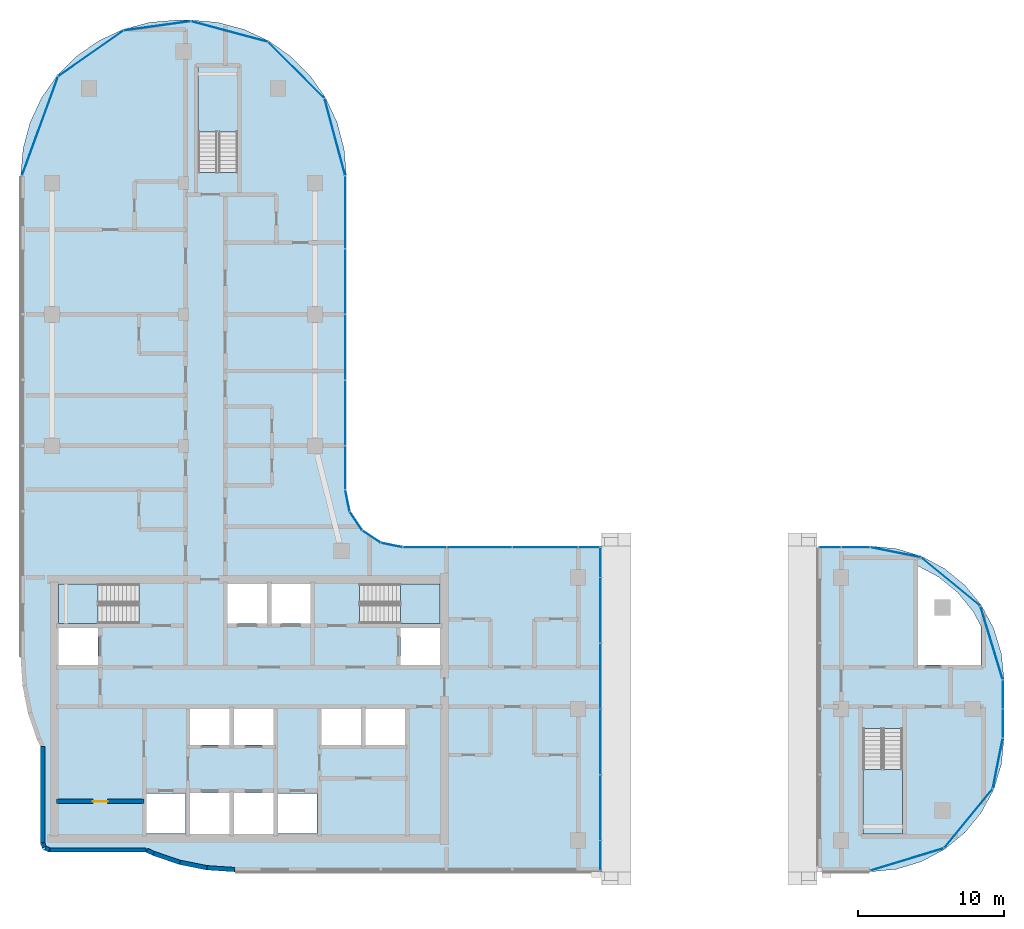
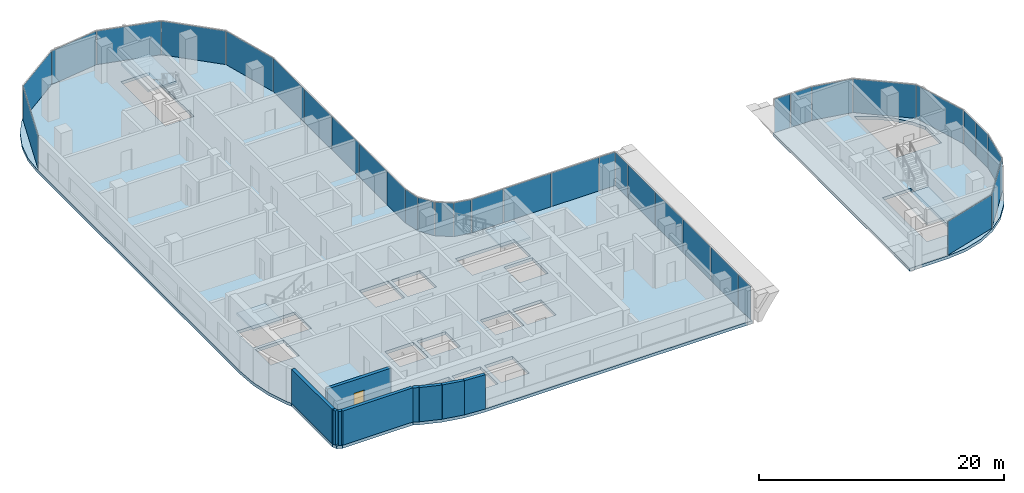
# One storey, part 9 of 23: 35 plates, 9 walls, 6 slabs, 1 door, 1 opening, 13 elements without a shape of their own.
"""IFC4 building model written with IfcOpenShell, lengths in metres."""

from ifc_helpers import new_model, si_unit, direction, frame, frame_2d, origin, origin_2d, place, context, subcontext, project, spatial, polyline, rectangle, outline, extrude, material, layer, layer_set, type_object, element, fill, aggregate, save


model = new_model("IFC4")

# Units and contexts
model_context = context("Model", 3, precision=1e-05, world=origin(), true_north=direction((0.0, 1.0)))
body_context = subcontext(model_context, "Body", "Model", "MODEL_VIEW")
ifc_project = project(units=[si_unit("LENGTHUNIT", "METRE"), si_unit("AREAUNIT", "SQUARE_METRE"), si_unit("VOLUMEUNIT", "CUBIC_METRE"), si_unit("PLANEANGLEUNIT", "RADIAN"), si_unit("MASSUNIT", "GRAM", prefix="KILO")], contexts=[model_context])

# Site, building, storey
site_placement = place(None, origin())
site = spatial("IfcSite", under=ifc_project, at=site_placement, CompositionType="ELEMENT")
building_placement = place(site_placement, origin())
building = spatial("IfcBuilding", under=site, at=building_placement, Name="Ogive Portal Towers", CompositionType="ELEMENT")
storey_placement = place(building_placement, frame((0.0, 0.0, 175.5)))
storey = spatial("IfcBuildingStorey", under=building, at=storey_placement, Name="L43", CompositionType="ELEMENT", Elevation=175.5)

# Curtain wall, plates
ifc_material_1 = material(Name="Glass, clear low-iron insulated glazing", Category="glass")
curtain_wall_type = type_object("IfcCurtainWallType", Name="CW FRONT RIBBON 4500", PredefinedType="NOTDEFINED", material=ifc_material_1)
curtain_wall_1_placement = place(storey_placement, origin())
curtain_wall_1 = element("IfcCurtainWall", 1, at=curtain_wall_1_placement, inside=storey, type_object=curtain_wall_type, Name="A:L43:f09:cw0", PredefinedType="NOTDEFINED")
ifc_layer_1 = layer(ifc_material_1, 0.028076171875)
ifc_layer_set_1 = layer_set([ifc_layer_1], Name="CW PANEL IGU 28")
plate_type = type_object("IfcPlateType", Name="CW PANEL IGU 28", PredefinedType="CURTAIN_PANEL", material=ifc_layer_set_1)
plate_1_placement = place(storey_placement, frame((69.02001953125, 20.467529296875, 0.0), z_axis=(0.0, 0.0, 1.0), x_axis=(0.0, 1.0, 0.0)))
plate_1 = element("IfcPlate", 2, at=plate_1_placement, type_object=plate_type, Name="panel", PredefinedType="CURTAIN_PANEL", context=body_context, shape_type="SweptSolid", body=[
    extrude(rectangle(XDim=2.0048828125, YDim=0.028076171875, at=origin_2d()), origin(), (0.0, 0.0, 1.0), 3.340087890625),
])
plate_2_placement = place(storey_placement, frame((69.02001953125, 23.75, 0.0), z_axis=(0.0, 0.0, 1.0), x_axis=(0.0, 1.0, 0.0)))
plate_2 = element("IfcPlate", 3, at=plate_2_placement, type_object=plate_type, Name="panel", PredefinedType="CURTAIN_PANEL", context=body_context, shape_type="SweptSolid", body=[
    extrude(rectangle(XDim=4.43994140625, YDim=0.028076171875, at=origin_2d()), origin(), (0.0, 0.0, 1.0), 3.340087890625),
])
plate_3_placement = place(storey_placement, frame((69.02001953125, 28.25, 0.0), z_axis=(0.0, 0.0, 1.0), x_axis=(0.0, 1.0, 0.0)))
plate_3 = element("IfcPlate", 4, at=plate_3_placement, type_object=plate_type, Name="panel", PredefinedType="CURTAIN_PANEL", context=body_context, shape_type="SweptSolid", body=[
    extrude(rectangle(XDim=4.43994140625, YDim=0.028076171875, at=origin_2d()), origin(), (0.0, 0.0, 1.0), 3.340087890625),
])
plate_4_placement = place(storey_placement, frame((69.02001953125, 32.75, 0.0), z_axis=(0.0, 0.0, 1.0), x_axis=(0.0, 1.0, 0.0)))
plate_4 = element("IfcPlate", 5, at=plate_4_placement, type_object=plate_type, Name="panel", PredefinedType="CURTAIN_PANEL", context=body_context, shape_type="SweptSolid", body=[
    extrude(rectangle(XDim=4.43994140625, YDim=0.028076171875, at=origin_2d()), origin(), (0.0, 0.0, 1.0), 3.340087890625),
])
plate_5_placement = place(storey_placement, frame((69.02001953125, 37.25, 0.0), z_axis=(0.0, 0.0, 1.0), x_axis=(0.0, 1.0, 0.0)))
plate_5 = element("IfcPlate", 6, at=plate_5_placement, type_object=plate_type, Name="panel", PredefinedType="CURTAIN_PANEL", context=body_context, shape_type="SweptSolid", body=[
    extrude(rectangle(XDim=4.43994140625, YDim=0.028076171875, at=origin_2d()), origin(), (0.0, 0.0, 1.0), 3.340087890625),
])
plate_6_placement = place(storey_placement, frame((69.02001953125, 40.532470703125, 0.0), z_axis=(0.0, 0.0, 1.0), x_axis=(0.0, 1.0, 0.0)))
plate_6 = element("IfcPlate", 7, at=plate_6_placement, type_object=plate_type, Name="panel", PredefinedType="CURTAIN_PANEL", context=body_context, shape_type="SweptSolid", body=[
    extrude(rectangle(XDim=2.0048828125, YDim=0.028076171875, at=origin_2d()), origin(), (0.0, 0.0, 1.0), 3.340087890625),
])
aggregate(curtain_wall_1, [plate_1, plate_2, plate_3, plate_4, plate_5, plate_6])

curtain_wall_2_placement = place(storey_placement, origin())
curtain_wall_2 = element("IfcCurtainWall", 8, at=curtain_wall_2_placement, inside=storey, type_object=curtain_wall_type, Name="A:L43:f10:cw0", PredefinedType="NOTDEFINED")
plate_7_placement = place(storey_placement, frame((68.260009765625, 41.56494140625, 0.0), z_axis=(0.0, 0.0, 1.0), x_axis=(-1.0, 0.0, 0.0)))
plate_7 = element("IfcPlate", 9, at=plate_7_placement, type_object=plate_type, Name="panel", PredefinedType="CURTAIN_PANEL", context=body_context, shape_type="SweptSolid", body=[
    extrude(rectangle(XDim=1.4599609375, YDim=0.028076171875, at=origin_2d()), origin(), (0.0, 0.0, 1.0), 3.340087890625),
])
plate_8_placement = place(storey_placement, frame((65.25, 41.56494140625, 0.0), z_axis=(0.0, 0.0, 1.0), x_axis=(-1.0, 0.0, 0.0)))
plate_8 = element("IfcPlate", 10, at=plate_8_placement, type_object=plate_type, Name="panel", PredefinedType="CURTAIN_PANEL", context=body_context, shape_type="SweptSolid", body=[
    extrude(rectangle(XDim=4.43994140625, YDim=0.028076171875, at=origin_2d()), origin(), (0.0, 0.0, 1.0), 3.340087890625),
])
plate_9_placement = place(storey_placement, frame((60.75, 41.56494140625, 0.0), z_axis=(0.0, 0.0, 1.0), x_axis=(-1.0, 0.0, 0.0)))
plate_9 = element("IfcPlate", 11, at=plate_9_placement, type_object=plate_type, Name="panel", PredefinedType="CURTAIN_PANEL", context=body_context, shape_type="SweptSolid", body=[
    extrude(rectangle(XDim=4.43994140625, YDim=0.028076171875, at=origin_2d()), origin(), (0.0, 0.0, 1.0), 3.340087890625),
])
plate_10_placement = place(storey_placement, frame((56.99609375, 41.56494140625, 0.0), z_axis=(0.0, 0.0, 1.0), x_axis=(-1.0, 0.0, 0.0)))
plate_10 = element("IfcPlate", 12, at=plate_10_placement, type_object=plate_type, Name="panel", PredefinedType="CURTAIN_PANEL", context=body_context, shape_type="SweptSolid", body=[
    extrude(rectangle(XDim=2.947998046875, YDim=0.028076171875, at=origin_2d()), origin(), (0.0, 0.0, 1.0), 3.340087890625),
])
aggregate(curtain_wall_2, [plate_7, plate_8, plate_9, plate_10])

curtain_wall_3_placement = place(storey_placement, origin())
curtain_wall_3 = element("IfcCurtainWall", 13, at=curtain_wall_3_placement, inside=storey, type_object=curtain_wall_type, Name="A:L43:f15:cw0", PredefinedType="NOTDEFINED")
plate_11_placement = place(storey_placement, frame((51.56494140625, 46.99609375, 0.0), z_axis=(0.0, 0.0, 1.0), x_axis=(0.0, 1.0, 0.0)))
plate_11 = element("IfcPlate", 14, at=plate_11_placement, type_object=plate_type, Name="panel", PredefinedType="CURTAIN_PANEL", context=body_context, shape_type="SweptSolid", body=[
    extrude(rectangle(XDim=2.947998046875, YDim=0.028076171875, at=origin_2d()), origin(), (0.0, 0.0, 1.0), 3.340087890625),
])
plate_12_placement = place(storey_placement, frame((51.56494140625, 50.75, 0.0), z_axis=(0.0, 0.0, 1.0), x_axis=(0.0, 1.0, 0.0)))
plate_12 = element("IfcPlate", 15, at=plate_12_placement, type_object=plate_type, Name="panel", PredefinedType="CURTAIN_PANEL", context=body_context, shape_type="SweptSolid", body=[
    extrude(rectangle(XDim=4.43994140625, YDim=0.028076171875, at=origin_2d()), origin(), (0.0, 0.0, 1.0), 3.340087890625),
])
plate_13_placement = place(storey_placement, frame((51.56494140625, 55.25, 0.0), z_axis=(0.0, 0.0, 1.0), x_axis=(0.0, 1.0, 0.0)))
plate_13 = element("IfcPlate", 16, at=plate_13_placement, type_object=plate_type, Name="panel", PredefinedType="CURTAIN_PANEL", context=body_context, shape_type="SweptSolid", body=[
    extrude(rectangle(XDim=4.43994140625, YDim=0.028076171875, at=origin_2d()), origin(), (0.0, 0.0, 1.0), 3.340087890625),
])
plate_14_placement = place(storey_placement, frame((51.56494140625, 59.75, 0.0), z_axis=(0.0, 0.0, 1.0), x_axis=(0.0, 1.0, 0.0)))
plate_14 = element("IfcPlate", 17, at=plate_14_placement, type_object=plate_type, Name="panel", PredefinedType="CURTAIN_PANEL", context=body_context, shape_type="SweptSolid", body=[
    extrude(rectangle(XDim=4.43994140625, YDim=0.028076171875, at=origin_2d()), origin(), (0.0, 0.0, 1.0), 3.340087890625),
])
plate_15_placement = place(storey_placement, frame((51.56494140625, 64.49462890625, 0.0), z_axis=(0.0, 0.0, 1.0), x_axis=(0.0, 1.0, 0.0)))
plate_15 = element("IfcPlate", 18, at=plate_15_placement, type_object=plate_type, Name="panel", PredefinedType="CURTAIN_PANEL", context=body_context, shape_type="SweptSolid", body=[
    extrude(rectangle(XDim=4.929443359375, YDim=0.028076171875, at=origin_2d()), origin(), (0.0, 0.0, 1.0), 3.340087890625),
])
aggregate(curtain_wall_3, [plate_11, plate_12, plate_13, plate_14, plate_15])

curtain_wall_4_placement = place(storey_placement, origin())
curtain_wall_4 = element("IfcCurtainWall", 19, at=curtain_wall_4_placement, inside=storey, type_object=curtain_wall_type, Name="A:L43:f30:cw0", PredefinedType="NOTDEFINED")
plate_16_placement = place(storey_placement, frame((96.56494140625, 29.50390625, 0.0), z_axis=(0.0, 0.0, 1.0), x_axis=(0.0, 1.0, 0.0)))
plate_16 = element("IfcPlate", 20, at=plate_16_placement, type_object=plate_type, Name="panel", PredefinedType="CURTAIN_PANEL", context=body_context, shape_type="SweptSolid", body=[
    extrude(rectangle(XDim=1.93212890625, YDim=0.028076171875, at=origin_2d()), origin(), (0.0, 0.0, 1.0), 3.340087890625),
])
plate_17_placement = place(storey_placement, frame((96.56494140625, 31.494140625, 0.0), z_axis=(0.0, 0.0, 1.0), x_axis=(0.0, 1.0, 0.0)))
plate_17 = element("IfcPlate", 21, at=plate_17_placement, type_object=plate_type, Name="panel", PredefinedType="CURTAIN_PANEL", context=body_context, shape_type="SweptSolid", body=[
    extrude(rectangle(XDim=1.92822265625, YDim=0.028076171875, at=origin_2d()), origin(), (0.0, 0.0, 1.0), 3.340087890625),
])
aggregate(curtain_wall_4, [plate_16, plate_17])

curtain_wall_5_placement = place(storey_placement, origin())
curtain_wall_5 = element("IfcCurtainWall", 22, at=curtain_wall_5_placement, inside=storey, type_object=curtain_wall_type, Name="A:L43:f34:cw0", PredefinedType="NOTDEFINED")
plate_18_placement = place(storey_placement, frame((86.49609375, 41.56494140625, 0.0), z_axis=(0.0, 0.0, 1.0), x_axis=(-1.0, 0.0, 0.0)))
plate_18 = element("IfcPlate", 23, at=plate_18_placement, type_object=plate_type, Name="panel", PredefinedType="CURTAIN_PANEL", context=body_context, shape_type="SweptSolid", body=[
    extrude(rectangle(XDim=1.93212890625, YDim=0.028076171875, at=origin_2d()), origin(), (0.0, 0.0, 1.0), 3.340087890625),
])
plate_19_placement = place(storey_placement, frame((84.739990234375, 41.56494140625, 0.0), z_axis=(0.0, 0.0, 1.0), x_axis=(-1.0, 0.0, 0.0)))
plate_19 = element("IfcPlate", 24, at=plate_19_placement, type_object=plate_type, Name="panel", PredefinedType="CURTAIN_PANEL", context=body_context, shape_type="SweptSolid", body=[
    extrude(rectangle(XDim=1.4599609375, YDim=0.028076171875, at=origin_2d()), origin(), (0.0, 0.0, 1.0), 3.340087890625),
])
aggregate(curtain_wall_5, [plate_18, plate_19])

curtain_wall_6_placement = place(storey_placement, origin())
curtain_wall_6 = element("IfcCurtainWall", 25, at=curtain_wall_6_placement, inside=storey, type_object=curtain_wall_type, Name="A:L43:f11:cwa", PredefinedType="NOTDEFINED")
plate_20_placement = place(storey_placement, frame((54.742919921875, 41.714111328125, 0.0), z_axis=(0.0, 0.0, 1.0), x_axis=(-0.980785280403, 0.195090322016, 0.0)))
plate_20 = element("IfcPlate", 26, at=plate_20_placement, type_object=plate_type, Name="panel", PredefinedType="CURTAIN_PANEL", context=body_context, shape_type="SweptSolid", body=[
    extrude(rectangle(XDim=1.468017578125, YDim=0.028076171875, at=origin_2d()), origin(), (0.0, 0.0, 1.0), 3.340087890625),
])
plate_21_placement = place(storey_placement, frame((53.35498046875, 42.289794921875, 0.0), z_axis=(0.0, 0.0, 1.0), x_axis=(-0.831469612303, 0.55557023302, 0.0)))
plate_21 = element("IfcPlate", 27, at=plate_21_placement, type_object=plate_type, Name="panel", PredefinedType="CURTAIN_PANEL", context=body_context, shape_type="SweptSolid", body=[
    extrude(rectangle(XDim=1.47607421875, YDim=0.028076171875, at=origin_2d()), origin(), (0.0, 0.0, 1.0), 3.340087890625),
])
plate_22_placement = place(storey_placement, frame((52.289794921875, 43.35498046875, 0.0), z_axis=(0.0, 0.0, 1.0), x_axis=(-0.55557023302, 0.831469612303, 0.0)))
plate_22 = element("IfcPlate", 28, at=plate_22_placement, type_object=plate_type, Name="panel", PredefinedType="CURTAIN_PANEL", context=body_context, shape_type="SweptSolid", body=[
    extrude(rectangle(XDim=1.47607421875, YDim=0.028076171875, at=origin_2d()), origin(), (0.0, 0.0, 1.0), 3.340087890625),
])
plate_23_placement = place(storey_placement, frame((51.714111328125, 44.742919921875, 0.0), z_axis=(0.0, 0.0, 1.0), x_axis=(-0.195090322016, 0.980785280403, 0.0)))
plate_23 = element("IfcPlate", 29, at=plate_23_placement, type_object=plate_type, Name="panel", PredefinedType="CURTAIN_PANEL", context=body_context, shape_type="SweptSolid", body=[
    extrude(rectangle(XDim=1.468017578125, YDim=0.028076171875, at=origin_2d()), origin(), (0.0, 0.0, 1.0), 3.340087890625),
])
aggregate(curtain_wall_6, [plate_20, plate_21, plate_22, plate_23])

curtain_wall_7_placement = place(storey_placement, origin())
curtain_wall_7 = element("IfcCurtainWall", 30, at=curtain_wall_7_placement, inside=storey, type_object=curtain_wall_type, Name="A:L43:f16:cwa", PredefinedType="NOTDEFINED")
plate_24_placement = place(storey_placement, frame((50.85595703125, 69.63525390625, 0.0), z_axis=(0.0, 0.0, 1.0), x_axis=(-0.258819045103, 0.965925826289, 0.0)))
plate_24 = element("IfcPlate", 31, at=plate_24_placement, type_object=plate_type, Name="panel", PredefinedType="CURTAIN_PANEL", context=body_context, shape_type="SweptSolid", body=[
    extrude(rectangle(XDim=5.418212890625, YDim=0.028076171875, at=origin_2d()), origin(), (0.0, 0.0, 1.0), 3.340087890625),
])
plate_25_placement = place(storey_placement, frame((48.214111328125, 74.214111328125, 0.0), z_axis=(0.0, 0.0, 1.0), x_axis=(-0.707106781187, 0.707106781187, 0.0)))
plate_25 = element("IfcPlate", 32, at=plate_25_placement, type_object=plate_type, Name="panel", PredefinedType="CURTAIN_PANEL", context=body_context, shape_type="SweptSolid", body=[
    extrude(rectangle(XDim=5.407470703125, YDim=0.028076171875, at=origin_2d()), origin(), (0.0, 0.0, 1.0), 3.340087890625),
])
plate_26_placement = place(storey_placement, frame((43.637939453125, 76.855224609375, 0.0), z_axis=(0.0, 0.0, 1.0), x_axis=(-0.965925826289, 0.258819045103, 0.0)))
plate_26 = element("IfcPlate", 33, at=plate_26_placement, type_object=plate_type, Name="panel", PredefinedType="CURTAIN_PANEL", context=body_context, shape_type="SweptSolid", body=[
    extrude(rectangle(XDim=5.41259765625, YDim=0.028076171875, at=origin_2d()), origin(), (0.0, 0.0, 1.0), 3.340087890625),
])
plate_27_placement = place(storey_placement, frame((38.692138671875, 77.244873046875, 0.0), z_axis=(0.0, 0.0, 1.0), x_axis=(-0.990567282946, -0.137027216118, 0.0)))
plate_27 = element("IfcPlate", 34, at=plate_27_placement, type_object=plate_type, Name="panel", PredefinedType="CURTAIN_PANEL", context=body_context, shape_type="SweptSolid", body=[
    extrude(rectangle(XDim=4.589599609375, YDim=0.028076171875, at=origin_2d()), origin(), (0.0, 0.0, 1.0), 3.340087890625),
])
plate_28_placement = place(storey_placement, frame((34.150634765625, 75.35888671875, 0.0), z_axis=(0.0, 0.0, 1.0), x_axis=(-0.819152044289, -0.573576436351, 0.0)))
plate_28 = element("IfcPlate", 35, at=plate_28_placement, type_object=plate_type, Name="panel", PredefinedType="CURTAIN_PANEL", context=body_context, shape_type="SweptSolid", body=[
    extrude(rectangle(XDim=5.40576171875, YDim=0.028076171875, at=origin_2d()), origin(), (0.0, 0.0, 1.0), 3.340087890625),
])
plate_29_placement = place(storey_placement, frame((30.673583984375, 70.388671875, 0.0), z_axis=(0.0, 0.0, 1.0), x_axis=(-0.342020143326, -0.939692620786, 0.0)))
plate_29 = element("IfcPlate", 36, at=plate_29_placement, type_object=plate_type, Name="panel", PredefinedType="CURTAIN_PANEL", context=body_context, shape_type="SweptSolid", body=[
    extrude(rectangle(XDim=7.182373046875, YDim=0.028076171875, at=origin_2d()), origin(), (0.0, 0.0, 1.0), 3.340087890625),
])
aggregate(curtain_wall_7, [plate_24, plate_25, plate_26, plate_27, plate_28, plate_29])

curtain_wall_8_placement = place(storey_placement, origin())
curtain_wall_8 = element("IfcCurtainWall", 37, at=curtain_wall_8_placement, inside=storey, type_object=curtain_wall_type, Name="A:L43:f27:cwa", PredefinedType="NOTDEFINED")
plate_30_placement = place(storey_placement, frame((90.01123046875, 20.200439453125, 0.0), z_axis=(0.0, 0.0, 1.0), x_axis=(0.956940335732, 0.290284677254, 0.0)))
plate_30 = element("IfcPlate", 38, at=plate_30_placement, type_object=plate_type, Name="panel", PredefinedType="CURTAIN_PANEL", context=body_context, shape_type="SweptSolid", body=[
    extrude(rectangle(XDim=5.213134765625, YDim=0.028076171875, at=origin_2d()), origin(), (0.0, 0.0, 1.0), 3.340087890625),
])
plate_31_placement = place(storey_placement, frame((94.204345703125, 23.000732421875, 0.0), z_axis=(0.0, 0.0, 1.0), x_axis=(0.634393284164, 0.773010453363, 0.0)))
plate_31 = element("IfcPlate", 39, at=plate_31_placement, type_object=plate_type, Name="panel", PredefinedType="CURTAIN_PANEL", context=body_context, shape_type="SweptSolid", body=[
    extrude(rectangle(XDim=5.205078125, YDim=0.028076171875, at=origin_2d()), origin(), (0.0, 0.0, 1.0), 3.340087890625),
])
plate_32_placement = place(storey_placement, frame((96.2197265625, 26.771728515625, 0.0), z_axis=(0.0, 0.0, 1.0), x_axis=(0.195090322016, 0.980785280403, 0.0)))
plate_32 = element("IfcPlate", 40, at=plate_32_placement, type_object=plate_type, Name="panel", PredefinedType="CURTAIN_PANEL", context=body_context, shape_type="SweptSolid", body=[
    extrude(rectangle(XDim=3.480224609375, YDim=0.028076171875, at=origin_2d()), origin(), (0.0, 0.0, 1.0), 3.340087890625),
])
aggregate(curtain_wall_8, [plate_30, plate_31, plate_32])

curtain_wall_9_placement = place(storey_placement, origin())
curtain_wall_9 = element("IfcCurtainWall", 41, at=curtain_wall_9_placement, inside=storey, type_object=curtain_wall_type, Name="A:L43:f31:cwa", PredefinedType="NOTDEFINED")
plate_33_placement = place(storey_placement, frame((95.799560546875, 35.01123046875, 0.0), z_axis=(0.0, 0.0, 1.0), x_axis=(-0.290284677254, 0.956940335732, 0.0)))
plate_33 = element("IfcPlate", 42, at=plate_33_placement, type_object=plate_type, Name="panel", PredefinedType="CURTAIN_PANEL", context=body_context, shape_type="SweptSolid", body=[
    extrude(rectangle(XDim=5.213134765625, YDim=0.028076171875, at=origin_2d()), origin(), (0.0, 0.0, 1.0), 3.340087890625),
])
plate_34_placement = place(storey_placement, frame((92.999267578125, 39.204345703125, 0.0), z_axis=(0.0, 0.0, 1.0), x_axis=(-0.773010453363, 0.634393284164, 0.0)))
plate_34 = element("IfcPlate", 43, at=plate_34_placement, type_object=plate_type, Name="panel", PredefinedType="CURTAIN_PANEL", context=body_context, shape_type="SweptSolid", body=[
    extrude(rectangle(XDim=5.205078125, YDim=0.028076171875, at=origin_2d()), origin(), (0.0, 0.0, 1.0), 3.340087890625),
])
plate_35_placement = place(storey_placement, frame((89.228271484375, 41.2197265625, 0.0), z_axis=(0.0, 0.0, 1.0), x_axis=(-0.980785280403, 0.195090322016, 0.0)))
plate_35 = element("IfcPlate", 44, at=plate_35_placement, type_object=plate_type, Name="panel", PredefinedType="CURTAIN_PANEL", context=body_context, shape_type="SweptSolid", body=[
    extrude(rectangle(XDim=3.480224609375, YDim=0.028076171875, at=origin_2d()), origin(), (0.0, 0.0, 1.0), 3.340087890625),
])
aggregate(curtain_wall_9, [plate_33, plate_34, plate_35])

# Stair, slab
ifc_material_2 = material(Name="Concrete C40/50", Category="concrete")
stair_type = type_object("IfcStairType", Name="INT-STAIR", PredefinedType="HALF_TURN_STAIR", material=ifc_material_2)
stair_1_placement = place(storey_placement, origin())
stair_1 = element("IfcStair", 45, at=stair_1_placement, inside=storey, type_object=stair_type, Name="L43 Exit Stair ST-A1", PredefinedType="HALF_TURN_STAIR")
ifc_layer_2 = layer(ifc_material_2, 0.199951171875)
ifc_layer_set_2 = layer_set([ifc_layer_2], Name="INT-LANDING")
slab_type_1 = type_object("IfcSlabType", Name="INT-LANDING", PredefinedType="LANDING", material=ifc_layer_set_2)
slab_1_placement = place(storey_placement, frame((0.0, 0.0, 1.64990234375)))
slab_1 = element("IfcSlab", 46, at=slab_1_placement, type_object=slab_type_1, Name="ST-A1 landing 1", PredefinedType="LANDING", context=body_context, shape_type="SweptSolid", body=[
    extrude(outline(polyline([(34.64990234375, 39.050048828125), (31.949951171875, 39.050048828125), (31.949951171875, 36.35009765625), (34.64990234375, 36.35009765625), (34.64990234375, 39.050048828125)])), origin(), (0.0, 0.0, 1.0), 0.2001953125),
])
aggregate(stair_1, [slab_1])

stair_2_placement = place(storey_placement, origin())
stair_2 = element("IfcStair", 47, at=stair_2_placement, inside=storey, type_object=stair_type, Name="L43 Exit Stair ST-A2", PredefinedType="HALF_TURN_STAIR")
slab_2_placement = place(storey_placement, frame((0.0, 0.0, 1.64990234375)))
slab_2 = element("IfcSlab", 48, at=slab_2_placement, type_object=slab_type_1, Name="ST-A2 landing 1", PredefinedType="LANDING", context=body_context, shape_type="SweptSolid", body=[
    extrude(outline(polyline([(55.35009765625, 36.35009765625), (58.050048828125, 36.35009765625), (58.050048828125, 39.050048828125), (55.35009765625, 39.050048828125), (55.35009765625, 36.35009765625)])), origin(), (0.0, 0.0, 1.0), 0.2001953125),
])
aggregate(stair_2, [slab_2])

stair_3_placement = place(storey_placement, origin())
stair_3 = element("IfcStair", 49, at=stair_3_placement, inside=storey, type_object=stair_type, Name="L43 Exit Stair ST-A3", PredefinedType="HALF_TURN_STAIR")
slab_3_placement = place(storey_placement, frame((0.0, 0.0, 1.64990234375)))
slab_3 = element("IfcSlab", 50, at=slab_3_placement, type_object=slab_type_1, Name="ST-A3 landing 1", PredefinedType="LANDING", context=body_context, shape_type="SweptSolid", body=[
    extrude(outline(polyline([(44.199951171875, 70.0), (44.199951171875, 74.449951171875), (41.5, 74.449951171875), (41.5, 70.0), (44.199951171875, 70.0)])), origin(), (0.0, 0.0, 1.0), 0.2001953125),
])
aggregate(stair_3, [slab_3])

stair_4_placement = place(storey_placement, origin())
stair_4 = element("IfcStair", 51, at=stair_4_placement, inside=storey, type_object=stair_type, Name="L43 Exit Stair ST-A4", PredefinedType="HALF_TURN_STAIR")
slab_4_placement = place(storey_placement, frame((0.0, 0.0, 1.64990234375)))
slab_4 = element("IfcSlab", 52, at=slab_4_placement, type_object=slab_type_1, Name="ST-A4 landing 1", PredefinedType="LANDING", context=body_context, shape_type="SweptSolid", body=[
    extrude(outline(polyline([(87.0, 26.3701171875), (87.0, 21.949951171875), (89.699951171875, 21.949951171875), (89.699951171875, 26.3701171875), (87.0, 26.3701171875)])), origin(), (0.0, 0.0, 1.0), 0.2001953125),
])
aggregate(stair_4, [slab_4])

# Slabs
ifc_material_3 = material(Name="Concrete C45/55", Category="concrete")
ifc_layer_3 = layer(ifc_material_3, 0.300048828125)
ifc_layer_set_3 = layer_set([ifc_layer_3], Name="PT FLAT PLATE 300")
slab_type_2 = type_object("IfcSlabType", Name="PT FLAT PLATE 300", PredefinedType="FLOOR", material=ifc_layer_set_3)
slab_5_placement = place(storey_placement, frame((0.0, 0.0, -0.300048828125)))
element("IfcSlab", 53, at=slab_5_placement, inside=storey, type_object=slab_type_2, Name="Floor slab L43", PredefinedType="FLOOR", context=body_context, shape_type="SweptSolid", body=[
    extrude(outline(polyline([(29.480224609375, 32.08837890625), (29.85400390625, 30.209716796875), (30.4697265625, 28.3955078125), (30.699951171875, 27.9287109375), (30.699951171875, 21.300048828125), (30.875732421875, 20.875732421875), (31.300048828125, 20.699951171875), (37.9287109375, 20.699951171875), (38.3955078125, 20.4697265625), (40.209716796875, 19.85400390625), (42.08837890625, 19.480224609375), (44.0, 19.35498046875), (69.10009765625, 19.35498046875), (69.10009765625, 41.64501953125), (55.5, 41.64501953125), (54.02490234375, 41.9384765625), (52.774169921875, 42.774169921875), (51.9384765625, 44.02490234375), (51.64501953125, 45.5), (51.64501953125, 67.0), (51.4833984375, 68.848388671875), (51.0029296875, 70.640869140625), (50.21875, 72.322509765625), (49.154541015625, 73.842529296875), (47.842529296875, 75.154541015625), (46.322509765625, 76.21875), (44.640869140625, 77.0029296875), (42.848388671875, 77.4833984375), (41.0, 77.64501953125), (40.0, 77.64501953125), (38.151611328125, 77.4833984375), (36.359130859375, 77.0029296875), (34.677490234375, 76.21875), (33.157470703125, 75.154541015625), (31.845458984375, 73.842529296875), (30.78125, 72.322509765625), (29.9970703125, 70.640869140625), (29.5166015625, 68.848388671875), (29.35498046875, 67.0), (29.35498046875, 34.0), (29.480224609375, 32.08837890625)]), holes=[polyline([(40.6298828125, 21.969970703125), (37.969970703125, 21.969970703125), (37.969970703125, 24.72998046875), (40.6298828125, 24.72998046875), (40.6298828125, 21.969970703125)]), polyline([(43.64990234375, 24.75), (43.64990234375, 21.949951171875), (40.949951171875, 21.949951171875), (40.949951171875, 24.75), (43.64990234375, 24.75)]), polyline([(46.64990234375, 24.75), (46.64990234375, 21.949951171875), (43.949951171875, 21.949951171875), (43.949951171875, 24.75), (46.64990234375, 24.75)]), polyline([(43.64990234375, 30.5), (43.64990234375, 28.050048828125), (40.949951171875, 28.050048828125), (40.949951171875, 30.5), (43.64990234375, 30.5)]), polyline([(46.64990234375, 30.5), (46.64990234375, 28.050048828125), (43.949951171875, 28.050048828125), (43.949951171875, 30.5), (46.64990234375, 30.5)]), polyline([(34.64990234375, 36.050048828125), (34.64990234375, 33.5), (31.949951171875, 33.5), (31.949951171875, 36.050048828125), (34.64990234375, 36.050048828125)]), polyline([(31.951904296875, 39.048095703125), (37.447998046875, 39.048095703125), (37.447998046875, 36.35205078125), (31.951904296875, 36.35205078125), (31.951904296875, 39.048095703125)]), polyline([(46.199951171875, 39.050048828125), (46.199951171875, 36.35009765625), (43.5, 36.35009765625), (43.5, 39.050048828125), (46.199951171875, 39.050048828125)]), polyline([(44.197998046875, 74.447998046875), (44.197998046875, 67.201904296875), (41.501953125, 67.201904296875), (41.501953125, 74.447998046875), (44.197998046875, 74.447998046875)]), polyline([(49.6298828125, 21.969970703125), (46.969970703125, 21.969970703125), (46.969970703125, 24.72998046875), (49.6298828125, 24.72998046875), (49.6298828125, 21.969970703125)]), polyline([(52.64990234375, 30.5), (52.64990234375, 28.050048828125), (49.949951171875, 28.050048828125), (49.949951171875, 30.5), (52.64990234375, 30.5)]), polyline([(55.64990234375, 30.5), (55.64990234375, 28.050048828125), (52.949951171875, 28.050048828125), (52.949951171875, 30.5), (55.64990234375, 30.5)]), polyline([(58.050048828125, 36.050048828125), (58.050048828125, 33.5), (55.35009765625, 33.5), (55.35009765625, 36.050048828125), (58.050048828125, 36.050048828125)]), polyline([(49.199951171875, 36.35009765625), (46.5, 36.35009765625), (46.5, 39.050048828125), (49.199951171875, 39.050048828125), (49.199951171875, 36.35009765625)]), polyline([(52.552001953125, 36.35205078125), (52.552001953125, 39.048095703125), (58.048095703125, 39.048095703125), (58.048095703125, 36.35205078125), (52.552001953125, 36.35205078125)])]), origin(), (0.0, 0.0, 1.0), 0.300048828125),
])
slab_6_placement = place(storey_placement, frame((0.0, 0.0, -0.300048828125)))
element("IfcSlab", 54, at=slab_6_placement, inside=storey, type_object=slab_type_2, Name="Floor slab L43", PredefinedType="FLOOR", context=body_context, shape_type="SweptSolid", body=[
    extrude(outline(polyline([(89.2841796875, 41.46923828125), (87.5, 41.64501953125), (83.89990234375, 41.64501953125), (83.89990234375, 19.35498046875), (87.5, 19.35498046875), (89.2841796875, 19.53076171875), (90.99951171875, 20.051025390625), (92.580810546875, 20.896240234375), (93.966552734375, 22.033447265625), (95.103759765625, 23.419189453125), (95.948974609375, 25.00048828125), (96.46923828125, 26.7158203125), (96.64501953125, 28.5), (96.64501953125, 32.5), (96.46923828125, 34.2841796875), (95.948974609375, 35.99951171875), (95.103759765625, 37.580810546875), (93.966552734375, 38.966552734375), (92.580810546875, 40.103759765625), (90.99951171875, 40.948974609375), (89.2841796875, 41.46923828125)]), holes=[polyline([(87.001953125, 21.951904296875), (87.001953125, 29.16796875), (89.697998046875, 29.16796875), (89.697998046875, 21.951904296875), (87.001953125, 21.951904296875)]), polyline([(94.518798828125, 37.18994140625), (95.080078125, 36.14013671875), (95.080078125, 33.52001953125), (90.77001953125, 33.52001953125), (90.77001953125, 40.27783203125), (92.18994140625, 39.518798828125), (93.468994140625, 38.468994140625), (94.518798828125, 37.18994140625)])]), origin(), (0.0, 0.0, 1.0), 0.300048828125),
])

# Walls
ifc_material_4 = material(Name="Limestone cladding on lightweight block wall", Category="masonry")
ifc_layer_4 = layer(ifc_material_4, 0.300048828125)
ifc_layer_set_4 = layer_set([ifc_layer_4], Name="EXTERNAL WALL 300 STONE")
wall_type_1 = type_object("IfcWallType", Name="EXTERNAL WALL 300 STONE", PredefinedType="SOLIDWALL", material=ifc_layer_set_4)
wall_1_placement = place(storey_placement, frame((30.85009765625, 27.9287109375, 0.0), z_axis=(0.0, 0.0, 1.0), x_axis=(0.0, -1.0, 0.0)))
element("IfcWall", 55, at=wall_1_placement, inside=storey, type_object=wall_type_1, Name="A:L43:f00:r0:wall", PredefinedType="SOLIDWALL", context=body_context, shape_type="SweptSolid", body=[
    extrude(rectangle(XDim=6.569091796875, YDim=0.300048828125, at=frame_2d((3.28466796875, 0.0))), origin(), (0.0, 0.0, 1.0), 3.39990234375),
])
for number, where, z_axis, x_axis, name in (
    (56, (30.861328125, 21.30224609375, 0.0), (0.0, 0.0, 1.0), (0.38297812142, -0.923757413239, 0.0), "A:L43:f01:r0:wall"),
    (57, (31.0478515625, 20.966796875, 0.0), (0.0, 0.0, 1.0), (0.923757413239, -0.38297812142, 0.0), "A:L43:f02:r0:wall"),
):
    element("IfcWall", number, at=place(storey_placement, frame(where, z_axis=z_axis, x_axis=x_axis)), inside=storey, type_object=wall_type_1, Name=name, PredefinedType="SOLIDWALL", context=body_context, shape_type="SweptSolid", body=[
        extrude(rectangle(XDim=0.275390625, YDim=0.300048828125, at=frame_2d((0.1376953125, 0.0))), origin(), (0.0, 0.0, 1.0), 3.39990234375),
    ])
wall_2_placement = place(storey_placement, frame((31.359619140625, 20.85009765625, 0.0), z_axis=(0.0, 0.0, 1.0), x_axis=(1.0, 0.0, 0.0)))
element("IfcWall", 58, at=wall_2_placement, inside=storey, type_object=wall_type_1, Name="A:L43:f03:r0:wall", PredefinedType="SOLIDWALL", context=body_context, shape_type="SweptSolid", body=[
    extrude(rectangle(XDim=6.569091796875, YDim=0.300048828125, at=frame_2d((3.28466796875, 0.0))), origin(), (0.0, 0.0, 1.0), 3.39990234375),
])
wall_3_placement = place(storey_placement, frame((37.9951171875, 20.83447265625, 0.0), z_axis=(0.0, 0.0, 1.0), x_axis=(0.896947675211, -0.442136707291, 0.0)))
element("IfcWall", 59, at=wall_3_placement, inside=storey, type_object=wall_type_1, Name="A:L43:f04:r0:wall", PredefinedType="SOLIDWALL", context=body_context, shape_type="SweptSolid", body=[
    extrude(rectangle(XDim=0.500732421875, YDim=0.300048828125, at=frame_2d((0.25048828125, 0.0))), origin(), (0.0, 0.0, 1.0), 3.39990234375),
])
for number, where, z_axis, x_axis, name in (
    (60, (38.46240234375, 20.60546875, 0.0), (0.0, 0.0, 1.0), (0.946951833826, -0.321375519312, 0.0), "A:L43:f05:r0:wall"),
    (61, (40.258056640625, 19.997314453125, 0.0), (0.0, 0.0, 1.0), (0.980795273054, -0.195040078842, 0.0), "A:L43:f06:r0:wall"),
):
    element("IfcWall", number, at=place(storey_placement, frame(where, z_axis=z_axis, x_axis=x_axis)), inside=storey, type_object=wall_type_1, Name=name, PredefinedType="SOLIDWALL", context=body_context, shape_type="SweptSolid", body=[
        extrude(rectangle(XDim=1.87646484375, YDim=0.300048828125, at=frame_2d((0.938232421875, 0.0))), origin(), (0.0, 0.0, 1.0), 3.39990234375),
    ])
wall_4_placement = place(storey_placement, frame((42.117919921875, 19.628662109375, 0.0), z_axis=(0.0, 0.0, 1.0), x_axis=(0.997861241975, -0.065367742534, 0.0)))
element("IfcWall", 62, at=wall_4_placement, inside=storey, type_object=wall_type_1, Name="A:L43:f07:r0:wall", PredefinedType="SOLIDWALL", context=body_context, shape_type="SweptSolid", body=[
    extrude(rectangle(XDim=1.88623046875, YDim=0.300048828125, at=frame_2d((0.943115234375, 0.0))), origin(), (0.0, 0.0, 1.0), 3.39990234375),
])

# Wall, opening, door
ifc_material_5 = material(Name="Gypsum board partition on steel studs", Category="steel")
ifc_layer_5 = layer(ifc_material_5, 0.300048828125)
ifc_layer_set_5 = layer_set([ifc_layer_5], Name="WT-PART-300")
wall_type_2 = type_object("IfcWallType", Name="WT-PART-300", PredefinedType="PARTITIONING", material=ifc_layer_set_5)
wall_5_placement = place(storey_placement, frame((31.800048828125, 24.173095703125, 0.0), z_axis=(0.0, 0.0, 1.0), x_axis=(1.0, 0.0, 0.0)))
wall_5 = element("IfcWall", 63, at=wall_5_placement, inside=storey, type_object=wall_type_2, Name="Wall pw:001:L43", PredefinedType="PARTITIONING", context=body_context, shape_type="SweptSolid", body=[
    extrude(rectangle(XDim=6.0, YDim=0.300048828125, at=frame_2d((3.0, 0.0))), origin(), (0.0, 0.0, 1.0), 3.39990234375),
])
opening_placement = place(wall_5_placement, frame((2.5, 0.0, 0.0)))
opening = element("IfcOpeningElement", 64, at=opening_placement, cuts=wall_5, Name="Opening D18-021", PredefinedType="OPENING", context=body_context, shape_type="SweptSolid", body=[
    extrude(rectangle(XDim=1.0, YDim=2.10009765625, at=frame_2d((0.5, 1.050048828125))), frame((0.0, 0.16015625, 0.0), z_axis=(0.0, -1.0, 0.0), x_axis=(1.0, 0.0, 0.0)), (0.0, 0.0, 1.0), 0.320068359375),
])
ifc_material_6 = material(Name="Steel fire door", Category="steel")
door_type = type_object("IfcDoorType", Name="DT-SWING-1000x2100-FD60S", OperationType="SINGLE_SWING_LEFT", PredefinedType="DOOR", material=ifc_material_6)
door_placement = place(opening_placement, origin())
door = element("IfcDoor", 65, at=door_placement, inside=storey, type_object=door_type, Name="Riser access door D18-021", OperationType="SINGLE_SWING_RIGHT", OverallHeight=2.10009765625, OverallWidth=1.0, PredefinedType="DOOR", context=body_context, shape_type="SweptSolid", body=[
    extrude(rectangle(XDim=1.0, YDim=2.10009765625, at=frame_2d((0.5, 1.050048828125))), frame((0.0, 0.02490234375, 0.0), z_axis=(0.0, -1.0, 0.0), x_axis=(1.0, 0.0, 0.0)), (0.0, 0.0, 1.0), 0.050048828125),
])
fill(opening, door)

save(model, "model.ifc")
